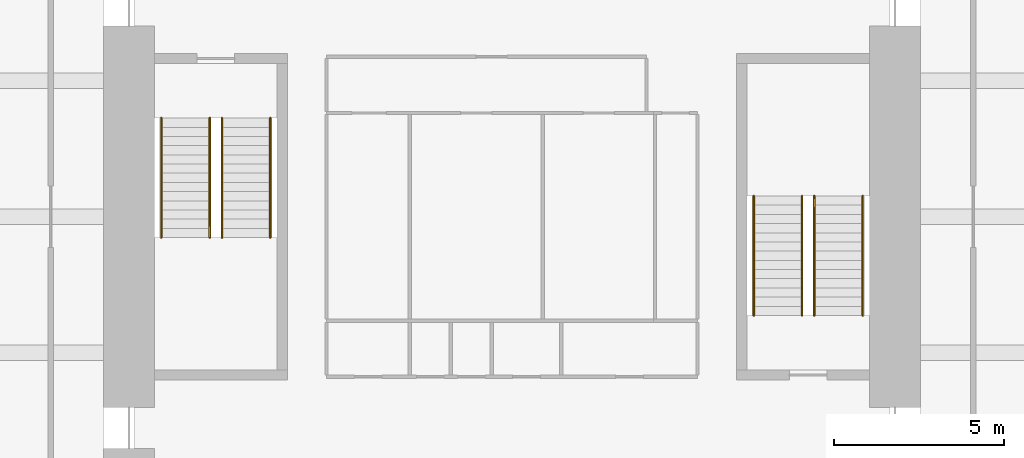
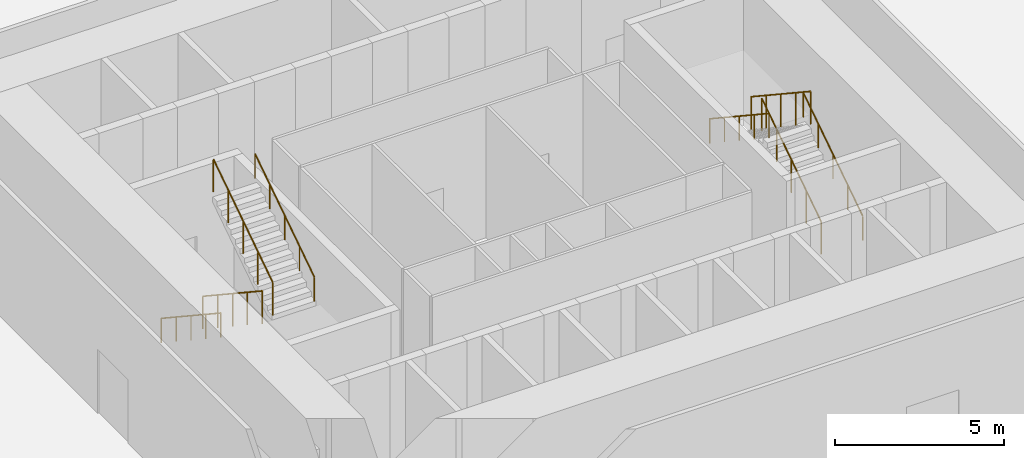
# One storey, part 6 of 6: 8 railings.
"""IFC4 building model written with IfcOpenShell, lengths in metres."""

from ifc_helpers import new_model, si_unit, direction, frame, origin, origin_2d, place, context, subcontext, project, spatial, circle, extrude, material, type_object, element, save


model = new_model("IFC4")

# Units and contexts
model_context = context("Model", 3, precision=1e-05, world=origin(), true_north=direction((0.0, 1.0)))
body_context = subcontext(model_context, "Body", "Model", "MODEL_VIEW")
ifc_project = project(units=[si_unit("LENGTHUNIT", "METRE"), si_unit("AREAUNIT", "SQUARE_METRE"), si_unit("VOLUMEUNIT", "CUBIC_METRE"), si_unit("PLANEANGLEUNIT", "RADIAN"), si_unit("MASSUNIT", "GRAM", prefix="KILO")], contexts=[model_context])

# Site, building, storey
site_placement = place(None, origin())
site = spatial("IfcSite", under=ifc_project, at=site_placement, CompositionType="ELEMENT")
building_placement = place(site_placement, origin())
building = spatial("IfcBuilding", under=site, at=building_placement, Name="Peilmerk Tower", CompositionType="ELEMENT")
storey_placement = place(building_placement, frame((0.0, 0.0, 191.800048828125)))
storey = spatial("IfcBuildingStorey", under=building, at=storey_placement, Name="L41", CompositionType="ELEMENT", Elevation=191.800048828125)

# Railings
ifc_material_1 = material(Name="Steel flat bar balustrade", Category="steel")
railing_type_1 = type_object("IfcRailingType", Name="GR1 1200 stair guard", PredefinedType="GUARDRAIL", material=ifc_material_1)
railing_1_placement = place(storey_placement, frame((-8.8798828125, 2.89990234375, 0.178466796875)))
element("IfcRailing", 1, at=railing_1_placement, inside=storey, type_object=railing_type_1, Name="Guard stair 1 L41", PredefinedType="GUARDRAIL", context=body_context, shape_type="SweptSolid", body=[
    extrude(circle(Radius=0.02392578125, at=origin_2d()), frame((0.0, 0.0, 1.17578125), z_axis=(0.0, -0.834070780157, 0.551657442339), x_axis=(1.0, 0.0, 0.0)), (0.0, 0.0, 1.0), 4.208251953125),
    extrude(circle(Radius=0.02099609375, at=origin_2d()), origin(), (0.0, 0.0, 1.0), 1.15185546875),
    extrude(circle(Radius=0.02099609375, at=origin_2d()), frame((0.0, -0.87744140625, 0.580322265625)), (0.0, 0.0, 1.0), 1.15185546875),
    extrude(circle(Radius=0.02099609375, at=origin_2d()), frame((0.0, -1.7548828125, 1.16064453125)), (0.0, 0.0, 1.0), 1.15185546875),
    extrude(circle(Radius=0.02099609375, at=origin_2d()), frame((0.0, -2.632568359375, 1.7412109375)), (0.0, 0.0, 1.0), 1.15185546875),
    extrude(circle(Radius=0.02099609375, at=origin_2d()), frame((0.0, -3.510009765625, 2.321533203125)), (0.0, 0.0, 1.0), 1.15185546875),
])
for number, where, name in (
    (2, (-8.52001953125, -0.610107421875, 2.678466796875), "Guard stair 1 L41"),
    (3, (8.8798828125, -2.89990234375, 0.178466796875), "Guard stair 2 L41"),
):
    element("IfcRailing", number, at=place(storey_placement, frame(where)), inside=storey, type_object=railing_type_1, Name=name, PredefinedType="GUARDRAIL", context=body_context, shape_type="SweptSolid", body=[
        extrude(circle(Radius=0.02392578125, at=origin_2d()), frame((0.0, 0.0, 1.17578125), z_axis=(0.0, 0.834070780157, 0.551657442339), x_axis=(-1.0, 0.0, 0.0)), (0.0, 0.0, 1.0), 4.208251953125),
        extrude(circle(Radius=0.02099609375, at=origin_2d()), origin(), (0.0, 0.0, 1.0), 1.15185546875),
        extrude(circle(Radius=0.02099609375, at=origin_2d()), frame((0.0, 0.87744140625, 0.580322265625)), (0.0, 0.0, 1.0), 1.15185546875),
        extrude(circle(Radius=0.02099609375, at=origin_2d()), frame((0.0, 1.7548828125, 1.16064453125)), (0.0, 0.0, 1.0), 1.15185546875),
        extrude(circle(Radius=0.02099609375, at=origin_2d()), frame((0.0, 2.632568359375, 1.7412109375)), (0.0, 0.0, 1.0), 1.15185546875),
        extrude(circle(Radius=0.02099609375, at=origin_2d()), frame((0.0, 3.510009765625, 2.321533203125)), (0.0, 0.0, 1.0), 1.15185546875),
    ])
railing_2_placement = place(storey_placement, frame((8.52001953125, 0.610107421875, 2.678466796875)))
element("IfcRailing", 4, at=railing_2_placement, inside=storey, type_object=railing_type_1, Name="Guard stair 2 L41", PredefinedType="GUARDRAIL", context=body_context, shape_type="SweptSolid", body=[
    extrude(circle(Radius=0.02392578125, at=origin_2d()), frame((0.0, 0.0, 1.17578125), z_axis=(0.0, -0.834070780157, 0.551657442339), x_axis=(1.0, 0.0, 0.0)), (0.0, 0.0, 1.0), 4.208251953125),
    extrude(circle(Radius=0.02099609375, at=origin_2d()), origin(), (0.0, 0.0, 1.0), 1.15185546875),
    extrude(circle(Radius=0.02099609375, at=origin_2d()), frame((0.0, -0.87744140625, 0.580322265625)), (0.0, 0.0, 1.0), 1.15185546875),
    extrude(circle(Radius=0.02099609375, at=origin_2d()), frame((0.0, -1.7548828125, 1.16064453125)), (0.0, 0.0, 1.0), 1.15185546875),
    extrude(circle(Radius=0.02099609375, at=origin_2d()), frame((0.0, -2.632568359375, 1.7412109375)), (0.0, 0.0, 1.0), 1.15185546875),
    extrude(circle(Radius=0.02099609375, at=origin_2d()), frame((0.0, -3.510009765625, 2.321533203125)), (0.0, 0.0, 1.0), 1.15185546875),
])
ifc_material_2 = material(Name="Stainless steel tube", Category="steel")
railing_type_2 = type_object("IfcRailingType", Name="HR1 900 stair handrail", PredefinedType="HANDRAIL", material=ifc_material_2)
railing_3_placement = place(storey_placement, frame((-10.300048828125, 2.89990234375, 0.178466796875)))
element("IfcRailing", 5, at=railing_3_placement, inside=storey, type_object=railing_type_2, Name="Handrail stair 1 L41", PredefinedType="HANDRAIL", context=body_context, shape_type="SweptSolid", body=[
    extrude(circle(Radius=0.02392578125, at=origin_2d()), frame((0.0, 0.0, 0.8759765625), z_axis=(0.0, -0.834070780157, 0.551657442339), x_axis=(1.0, 0.0, 0.0)), (0.0, 0.0, 1.0), 4.208251953125),
    extrude(circle(Radius=0.02099609375, at=origin_2d()), origin(), (0.0, 0.0, 1.0), 0.851806640625),
    extrude(circle(Radius=0.02099609375, at=origin_2d()), frame((0.0, -0.87744140625, 0.580322265625)), (0.0, 0.0, 1.0), 0.851806640625),
    extrude(circle(Radius=0.02099609375, at=origin_2d()), frame((0.0, -1.7548828125, 1.16064453125)), (0.0, 0.0, 1.0), 0.851806640625),
    extrude(circle(Radius=0.02099609375, at=origin_2d()), frame((0.0, -2.632568359375, 1.7412109375)), (0.0, 0.0, 1.0), 0.851806640625),
    extrude(circle(Radius=0.02099609375, at=origin_2d()), frame((0.0, -3.510009765625, 2.321533203125)), (0.0, 0.0, 1.0), 0.851806640625),
])
for number, where, name in (
    (6, (-7.10009765625, -0.610107421875, 2.678466796875), "Handrail stair 1 L41"),
    (7, (10.300048828125, -2.89990234375, 0.178466796875), "Handrail stair 2 L41"),
):
    element("IfcRailing", number, at=place(storey_placement, frame(where)), inside=storey, type_object=railing_type_2, Name=name, PredefinedType="HANDRAIL", context=body_context, shape_type="SweptSolid", body=[
        extrude(circle(Radius=0.02392578125, at=origin_2d()), frame((0.0, 0.0, 0.8759765625), z_axis=(0.0, 0.834070780157, 0.551657442339), x_axis=(-1.0, 0.0, 0.0)), (0.0, 0.0, 1.0), 4.208251953125),
        extrude(circle(Radius=0.02099609375, at=origin_2d()), origin(), (0.0, 0.0, 1.0), 0.851806640625),
        extrude(circle(Radius=0.02099609375, at=origin_2d()), frame((0.0, 0.87744140625, 0.580322265625)), (0.0, 0.0, 1.0), 0.851806640625),
        extrude(circle(Radius=0.02099609375, at=origin_2d()), frame((0.0, 1.7548828125, 1.16064453125)), (0.0, 0.0, 1.0), 0.851806640625),
        extrude(circle(Radius=0.02099609375, at=origin_2d()), frame((0.0, 2.632568359375, 1.7412109375)), (0.0, 0.0, 1.0), 0.851806640625),
        extrude(circle(Radius=0.02099609375, at=origin_2d()), frame((0.0, 3.510009765625, 2.321533203125)), (0.0, 0.0, 1.0), 0.851806640625),
    ])
railing_4_placement = place(storey_placement, frame((7.10009765625, 0.610107421875, 2.678466796875)))
element("IfcRailing", 8, at=railing_4_placement, inside=storey, type_object=railing_type_2, Name="Handrail stair 2 L41", PredefinedType="HANDRAIL", context=body_context, shape_type="SweptSolid", body=[
    extrude(circle(Radius=0.02392578125, at=origin_2d()), frame((0.0, 0.0, 0.8759765625), z_axis=(0.0, -0.834070780157, 0.551657442339), x_axis=(1.0, 0.0, 0.0)), (0.0, 0.0, 1.0), 4.208251953125),
    extrude(circle(Radius=0.02099609375, at=origin_2d()), origin(), (0.0, 0.0, 1.0), 0.851806640625),
    extrude(circle(Radius=0.02099609375, at=origin_2d()), frame((0.0, -0.87744140625, 0.580322265625)), (0.0, 0.0, 1.0), 0.851806640625),
    extrude(circle(Radius=0.02099609375, at=origin_2d()), frame((0.0, -1.7548828125, 1.16064453125)), (0.0, 0.0, 1.0), 0.851806640625),
    extrude(circle(Radius=0.02099609375, at=origin_2d()), frame((0.0, -2.632568359375, 1.7412109375)), (0.0, 0.0, 1.0), 0.851806640625),
    extrude(circle(Radius=0.02099609375, at=origin_2d()), frame((0.0, -3.510009765625, 2.321533203125)), (0.0, 0.0, 1.0), 0.851806640625),
])

save(model, "model.ifc")
